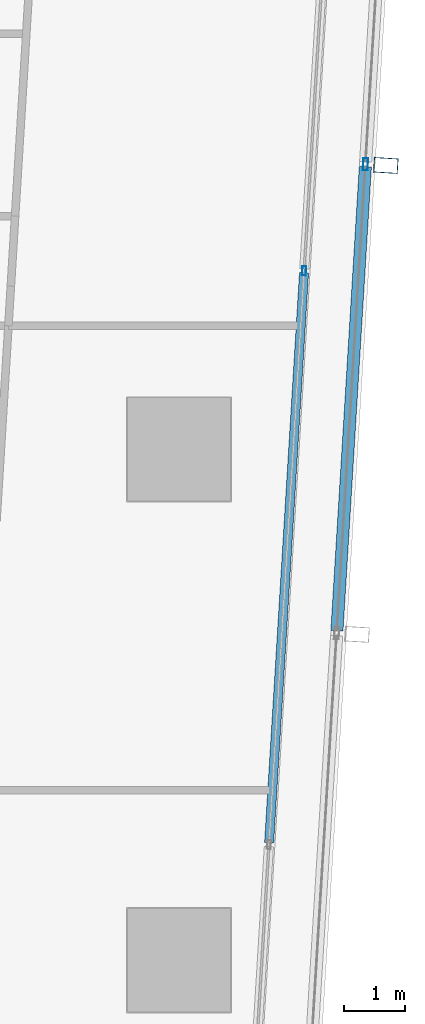
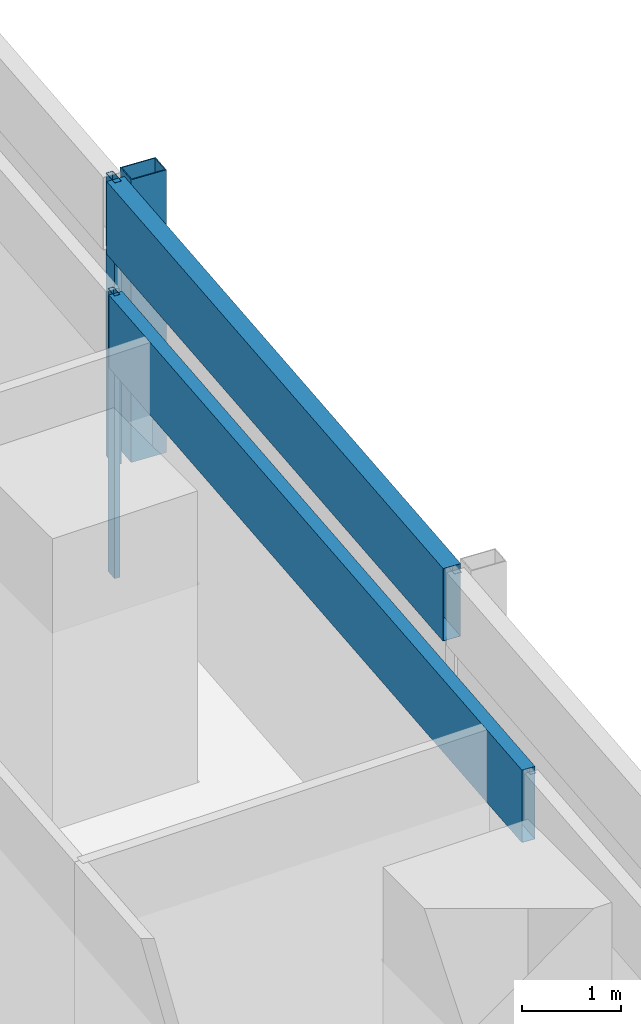
# One storey, part 24 of 40: 5 members, 2 elements without a shape of their own.
"""IFC4 building model written with IfcOpenShell, lengths in metres."""

from ifc_helpers import new_model, si_unit, direction, frame, origin, origin_2d, place, context, subcontext, project, spatial, hollow_rectangle, extrude, material, material_profile, profile_set, type_object, element, aggregate, save


model = new_model("IFC4")

# Units and contexts
model_context = context("Model", 3, precision=1e-05, world=origin(), true_north=direction((0.0, 1.0)))
body_context = subcontext(model_context, "Body", "Model", "MODEL_VIEW")
ifc_project = project(units=[si_unit("LENGTHUNIT", "METRE"), si_unit("AREAUNIT", "SQUARE_METRE"), si_unit("VOLUMEUNIT", "CUBIC_METRE"), si_unit("PLANEANGLEUNIT", "RADIAN"), si_unit("MASSUNIT", "GRAM", prefix="KILO")], contexts=[model_context])

# Site, building, storey
site_placement = place(None, origin())
site = spatial("IfcSite", under=ifc_project, at=site_placement, CompositionType="ELEMENT")
building_placement = place(site_placement, origin())
building = spatial("IfcBuilding", under=site, at=building_placement, Name="Rekha Terrace Tower", CompositionType="ELEMENT")
storey_placement = place(building_placement, frame((0.0, 0.0, 117.800048828125)))
storey = spatial("IfcBuildingStorey", under=building, at=storey_placement, Name="L29", CompositionType="ELEMENT", Elevation=117.800048828125)

# Curtain wall, member
ifc_material_1 = material(Name="Aluminium framing", Category="aluminium")
curtain_wall_type_1 = type_object("IfcCurtainWallType", Name="CW2 double skin outer glazing", PredefinedType="USERDEFINED", material=ifc_material_1)
curtain_wall_1_placement = place(storey_placement, origin())
curtain_wall_1 = element("IfcCurtainWall", 1, at=curtain_wall_1_placement, inside=storey, type_object=curtain_wall_type_1, Name="CW2 double skin outer glazing", ObjectType="DOUBLE SKIN OUTER GLAZING", PredefinedType="USERDEFINED")
ifc_material_2 = material(Name="Steel S355 with fluorocarbon finish", Category="steel")
ifc_material_profile_1 = material_profile(ifc_material_2, hollow_rectangle(XDim=0.25, YDim=0.39990234375, WallThickness=0.012451171875, at=origin_2d()), Name="RHS400x250x12.5")
ifc_profile_set_1 = profile_set([ifc_material_profile_1], Name="Steel S355 with fluorocarbon finish")
member_type_1 = type_object("IfcMemberType", Name="BL1 facade blade RHS 400 x 250", PredefinedType="USERDEFINED", material=ifc_profile_set_1)
member_1_placement = place(storey_placement, frame((70.601318359375, 38.27001953125, 0.0), z_axis=(0.0, 0.0, 1.0), x_axis=(0.061160031881, 0.998127973008, 0.0)))
member_1 = element("IfcMember", 2, at=member_1_placement, type_object=member_type_1, Name="Facade blade", ObjectType="FACADE BLADE", PredefinedType="USERDEFINED", context=body_context, shape_type="SweptSolid", body=[
    extrude(hollow_rectangle(XDim=0.25, YDim=0.39990234375, WallThickness=0.012451171875, at=origin_2d()), origin(), (0.0, 0.0, 1.0), 3.5),
])

# Curtain wall, members
curtain_wall_type_2 = type_object("IfcCurtainWallType", Name="CW1 double skin inner glazing", PredefinedType="USERDEFINED", material=ifc_material_1)
curtain_wall_2_placement = place(storey_placement, origin())
curtain_wall_2 = element("IfcCurtainWall", 3, at=curtain_wall_2_placement, inside=storey, type_object=curtain_wall_type_2, Name="CW1 double skin inner glazing", ObjectType="DOUBLE SKIN INNER GLAZING", PredefinedType="USERDEFINED")
ifc_material_3 = material(Name="Aluminium mullion section", Category="aluminium")
ifc_material_profile_2 = material_profile(ifc_material_3, hollow_rectangle(XDim=0.06494140625, YDim=0.14990234375, WallThickness=0.00390625, at=origin_2d()), Name="AL RHS 65x150")
ifc_profile_set_2 = profile_set([ifc_material_profile_2], Name="Aluminium mullion section")
member_type_2 = type_object("IfcMemberType", Name="CW1 mullion RHS 65 x 150", PredefinedType="MULLION", material=ifc_profile_set_2)
member_2_placement = place(storey_placement, frame((69.257568359375, 36.53662109375, 0.0), z_axis=(0.0, 0.0, 1.0), x_axis=(-0.998127987024, 0.061159803131, 0.0)))
member_2 = element("IfcMember", 4, at=member_2_placement, type_object=member_type_2, Name="CW1 mullion 3", PredefinedType="MULLION", context=body_context, shape_type="SweptSolid", body=[
    extrude(hollow_rectangle(XDim=0.06494140625, YDim=0.14990234375, WallThickness=0.00390625, at=origin_2d()), origin(), (0.0, 0.0, 1.0), 3.5),
])
ifc_material_4 = material(Name="Insulated aluminium spandrel box", Category="aluminium")
ifc_material_profile_3 = material_profile(ifc_material_4, hollow_rectangle(XDim=0.14990234375, YDim=0.89990234375, WallThickness=0.0029296875, at=origin_2d()), Name="AL SPANDREL BOX 150x900")
ifc_profile_set_3 = profile_set([ifc_material_profile_3], Name="Insulated aluminium spandrel box")
member_type_3 = type_object("IfcMemberType", Name="CW1 spandrel transom 150 x 900", PredefinedType="USERDEFINED", material=ifc_profile_set_3)
member_3_placement = place(storey_placement, frame((68.681640625, 27.13427734375, 3.050048828125), z_axis=(0.061141260248, 0.998129123057, 0.0), x_axis=(-0.998129123057, 0.061141260248, 0.0)))
member_3 = element("IfcMember", 5, at=member_3_placement, type_object=member_type_3, Name="CW1 spandrel transom 2", ObjectType="TRANSOM", PredefinedType="USERDEFINED", context=body_context, shape_type="SweptSolid", body=[
    extrude(hollow_rectangle(XDim=0.14990234375, YDim=0.89990234375, WallThickness=0.0029296875, at=origin_2d()), origin(), (0.0, 0.0, 1.0), 9.3876953125),
])
aggregate(curtain_wall_2, [member_2, member_3])

# Member
ifc_material_profile_4 = material_profile(ifc_material_3, hollow_rectangle(XDim=0.080078125, YDim=0.199951171875, WallThickness=0.00390625, at=origin_2d()), Name="AL RHS 80x200")
ifc_profile_set_4 = profile_set([ifc_material_profile_4], Name="Aluminium mullion section")
member_type_4 = type_object("IfcMemberType", Name="CW2 mullion RHS 80 x 200", PredefinedType="MULLION", material=ifc_profile_set_4)
member_4_placement = place(storey_placement, frame((70.266845703125, 38.29052734375, 0.0), z_axis=(0.0, 0.0, 1.0), x_axis=(-0.998127987024, 0.061159803131, 0.0)))
member_4 = element("IfcMember", 6, at=member_4_placement, type_object=member_type_4, Name="CW2 mullion 4", PredefinedType="MULLION", context=body_context, shape_type="SweptSolid", body=[
    extrude(hollow_rectangle(XDim=0.080078125, YDim=0.199951171875, WallThickness=0.00390625, at=origin_2d()), origin(), (0.0, 0.0, 1.0), 3.5),
])

ifc_material_profile_5 = material_profile(ifc_material_4, hollow_rectangle(XDim=0.199951171875, YDim=0.89990234375, WallThickness=0.0029296875, at=origin_2d()), Name="AL SPANDREL BOX 200x900")
ifc_profile_set_5 = profile_set([ifc_material_profile_5], Name="Insulated aluminium spandrel box")
member_type_5 = type_object("IfcMemberType", Name="CW2 spandrel transom 200 x 900", PredefinedType="USERDEFINED", material=ifc_profile_set_5)
member_5_placement = place(storey_placement, frame((69.796630859375, 30.618408203125, 3.050048828125), z_axis=(0.061175629852, 0.998127017124, 0.0), x_axis=(-0.998127017124, 0.061175629852, 0.0)))
member_5 = element("IfcMember", 7, at=member_5_placement, type_object=member_type_5, Name="CW2 spandrel transom 3", ObjectType="TRANSOM", PredefinedType="USERDEFINED", context=body_context, shape_type="SweptSolid", body=[
    extrude(hollow_rectangle(XDim=0.199951171875, YDim=0.89990234375, WallThickness=0.0029296875, at=origin_2d()), origin(), (0.0, 0.0, 1.0), 7.646484375),
])

aggregate(curtain_wall_1, [member_4, member_5, member_1])

save(model, "model.ifc")
